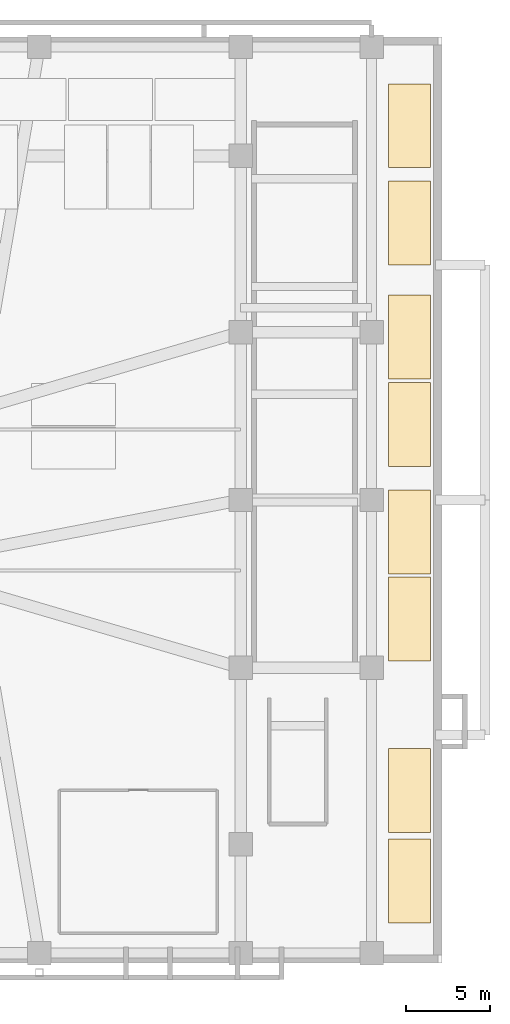
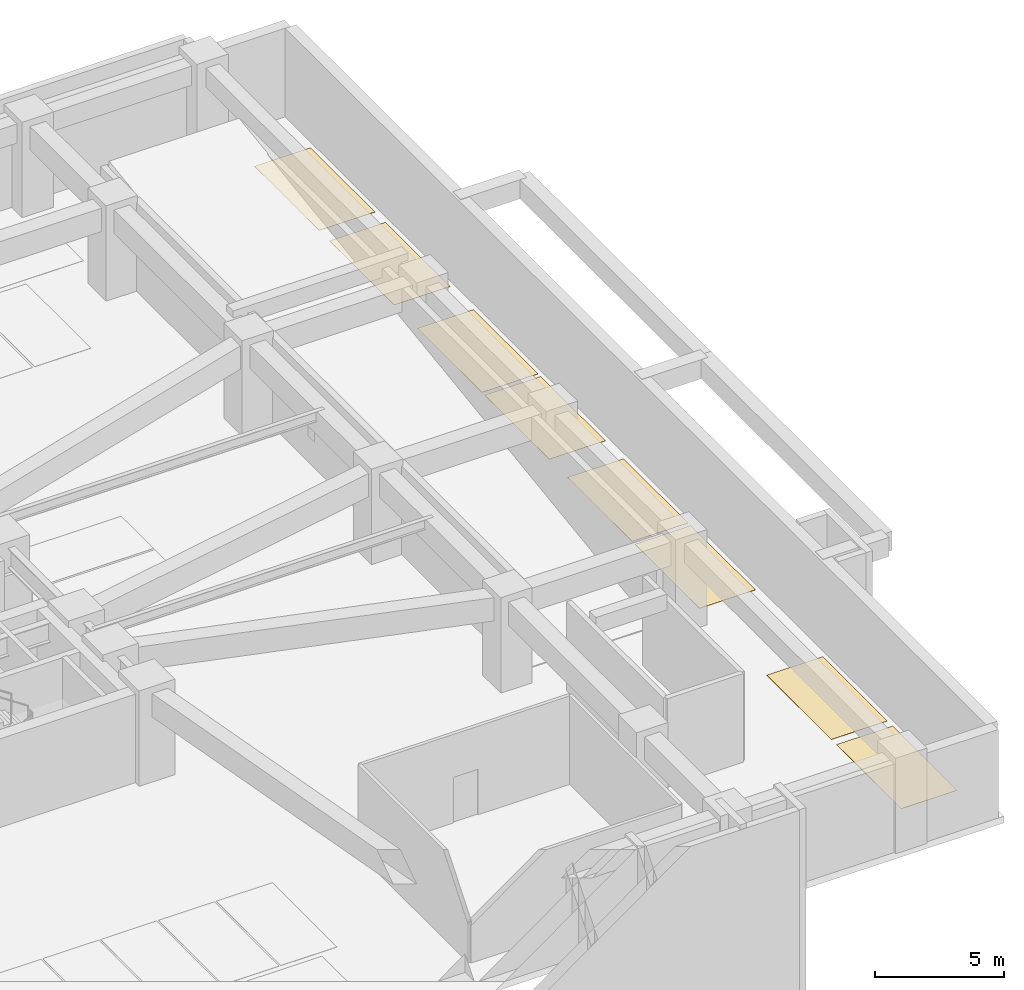
# One storey, part 13 of 13: 8 coverings.
"""IFC4 building model written with IfcOpenShell, lengths in metres."""

import ifcopenshell
import ifcopenshell.guid

model = None  # the IFC model being written
_history = None  # IfcOwnerHistory: only IFC2X3 demands one
_inside = {}  # id of a spatial element -> (the spatial element, [elements in it])
_under = {}  # id of a project, library or spatial element -> (it, [spatial elements below it])
_declared = {}  # id of a project -> (the project, [libraries it declares])
_typed = {}  # id of a type object -> (the type object, [elements of that type])
_made_of = {}  # id of a material, layer set ... -> (it, [elements and type objects made of it])


def new_model(schema):
    """Start an empty IFC model of exactly this schema.

    Asked for "IFC4X3", IfcOpenShell would pick the latest addendum, in which some entities
    have other attributes; the version numbers below select the first issue.
    IFC2X3 requires an IfcOwnerHistory on every rooted entity: one is made here for all.
    """
    global model, _history
    if schema == "IFC4X3":
        model = ifcopenshell.file(schema_version=(4, 3, 0, 0))
    else:
        model = ifcopenshell.file(schema=schema)
    _inside.clear()
    _under.clear()
    _declared.clear()
    _typed.clear()
    _made_of.clear()
    _history = None
    if model.schema == "IFC2X3":
        org = make("IfcOrganization", Name="unknown")
        user = make(
            "IfcPersonAndOrganization",
            ThePerson=make("IfcPerson", FamilyName="unknown"),
            TheOrganization=org,
        )
        app = make(
            "IfcApplication",
            ApplicationDeveloper=org,
            Version="unknown",
            ApplicationFullName="unknown",
            ApplicationIdentifier="unknown",
        )
        _history = make(
            "IfcOwnerHistory",
            OwningUser=user,
            OwningApplication=app,
            ChangeAction="ADDED",
            CreationDate=0,
        )
    return model


def make(cls, **values):
    """One entity of the class cls with the attributes given. An attribute that is None is left unset."""
    return model.create_entity(
        cls, **{name: value for name, value in values.items() if value is not None}
    )


def rooted(cls, **values):
    """An entity with a GlobalId (a new one), such as an element, a storey or a relation."""
    return make(cls, GlobalId=ifcopenshell.guid.new(), OwnerHistory=_history, **values)


def si_unit(unit_type, name, prefix=None):
    """IfcSIUnit, for example si_unit("LENGTHUNIT", "METRE", prefix="MILLI")."""
    return make("IfcSIUnit", UnitType=unit_type, Prefix=prefix, Name=name)


def assignment(units):
    """IfcUnitAssignment: the units of a project."""
    return None if units is None else make("IfcUnitAssignment", Units=units)


def point(xyz):
    """IfcCartesianPoint."""
    return None if xyz is None else make("IfcCartesianPoint", Coordinates=xyz)


def direction(xyz):
    """IfcDirection."""
    return None if xyz is None else make("IfcDirection", DirectionRatios=xyz)


def frame(location, z_axis=None, x_axis=None):
    """IfcAxis2Placement3D, a coordinate frame: its origin and axes. An axis left out is left unset."""
    return make(
        "IfcAxis2Placement3D",
        Location=point(location),
        Axis=direction(z_axis),
        RefDirection=direction(x_axis),
    )


def origin():
    """The frame at (0, 0, 0) with its axes left unset."""
    return frame((0.0, 0.0, 0.0))


def place(relative_to, where):
    """IfcLocalPlacement: puts the frame where relative to a parent placement (None: the world)."""
    return make(
        "IfcLocalPlacement", PlacementRelTo=relative_to, RelativePlacement=where
    )


def context(
    kind, dimensions, precision=None, world=None, true_north=None, identifier=None
):
    """IfcGeometricRepresentationContext, for example the 3D "Model" context."""
    return make(
        "IfcGeometricRepresentationContext",
        ContextIdentifier=identifier,
        ContextType=kind,
        CoordinateSpaceDimension=dimensions,
        Precision=precision,
        WorldCoordinateSystem=world,
        TrueNorth=true_north,
    )


def subcontext(parent, identifier, kind, view, scale=None):
    """IfcGeometricRepresentationSubContext, for example "Body" below "Model"."""
    return make(
        "IfcGeometricRepresentationSubContext",
        ContextIdentifier=identifier,
        ContextType=kind,
        ParentContext=parent,
        TargetScale=scale,
        TargetView=view,
    )


def project(units=None, contexts=None):
    """IfcProject with its units and contexts."""
    return rooted(
        "IfcProject",
        Name="project",
        RepresentationContexts=contexts,
        UnitsInContext=assignment(units),
    )


def spatial(cls, under=None, at=None, **own):
    """A site, building, storey or space (cls), placed at a placement, below another one or the project."""
    s = rooted(cls, ObjectPlacement=at, **own)
    if under is not None:
        _under.setdefault(under.id(), (under, []))[1].append(s)
    return s


def polyline(points):
    """IfcPolyline through the points."""
    return make("IfcPolyline", Points=[point(p) for p in points])


def outline(outer, holes=None, kind="AREA"):
    """IfcArbitraryClosedProfileDef: a profile drawn as a closed curve; with holes, ...WithVoids."""
    if holes is None:
        return make("IfcArbitraryClosedProfileDef", ProfileType=kind, OuterCurve=outer)
    return make(
        "IfcArbitraryProfileDefWithVoids",
        ProfileType=kind,
        OuterCurve=outer,
        InnerCurves=holes,
    )


def extrude(swept, where, along, depth):
    """IfcExtrudedAreaSolid: the profile swept, set in the frame where, extruded along a direction by depth."""
    return make(
        "IfcExtrudedAreaSolid",
        SweptArea=swept,
        Position=where,
        ExtrudedDirection=direction(along),
        Depth=depth,
    )


def shape(context_of_items, identifier, shape_type, items):
    """IfcShapeRepresentation: the items that make up one representation, for example the "Body"."""
    return make(
        "IfcShapeRepresentation",
        ContextOfItems=context_of_items,
        RepresentationIdentifier=identifier,
        RepresentationType=shape_type,
        Items=items,
    )


def material(Name=None, Category=None):
    """IfcMaterial."""
    return make("IfcMaterial", Name=Name, Category=Category)


def layer(
    of_material, thickness, ventilated=None, Name=None, Category=None, Priority=None
):
    """IfcMaterialLayer: one layer of a wall or slab, of a material (None: an air gap)."""
    return make(
        "IfcMaterialLayer",
        Material=of_material,
        LayerThickness=thickness,
        IsVentilated=ventilated,
        Name=Name,
        Category=Category,
        Priority=Priority,
    )


def layer_set(layers, Name=None):
    """IfcMaterialLayerSet."""
    return make("IfcMaterialLayerSet", MaterialLayers=layers, LayerSetName=Name)


def made_of(thing, what):
    """Note that an element or type object is made of a material, layer set ...; save() writes the relation."""
    if what is not None:
        _made_of.setdefault(what.id(), (what, []))[1].append(thing)
    return thing


def type_object(cls, material=None, **own):
    """A type object (cls), such as IfcWallType, which elements share."""
    return made_of(rooted(cls, **own), material)


def element(
    cls,
    number,
    at=None,
    inside=None,
    cuts=None,
    type_object=None,
    material=None,
    context=None,
    identifier="Body",
    shape_type=None,
    held_by="IfcProductDefinitionShape",
    body=None,
    shapes=None,
    **own,
):
    """One element of the class cls, such as IfcWall. Its Tag is "e" and its number.

    at: its placement. inside: the storey or other place that contains it. cuts: it is an
    opening in that element (IfcRelVoidsElement). A single representation is given by context,
    identifier, shape_type and body (its items); several are given by shapes. held_by: the class
    of the entity that holds the representations. save() writes the other relations.
    """
    e = rooted(cls, Tag="e%d" % number, ObjectPlacement=at, **own)
    if body is not None:
        shapes = [shape(context, identifier, shape_type, body)]
    if shapes is not None:
        e.Representation = make(held_by, Representations=shapes)
    if inside is not None:
        _inside.setdefault(inside.id(), (inside, []))[1].append(e)
    if cuts is not None:
        rooted(
            "IfcRelVoidsElement", RelatingBuildingElement=cuts, RelatedOpeningElement=e
        )
    if type_object is not None:
        _typed.setdefault(type_object.id(), (type_object, []))[1].append(e)
    return made_of(e, material)


def aggregate(whole, parts):
    """IfcRelAggregates: a whole, such as a stair, and the parts it consists of."""
    return rooted("IfcRelAggregates", RelatingObject=whole, RelatedObjects=parts)


def save(model, path):
    """Write the relations noted so far, then the file.

    IfcRelAggregates (storeys below a building ...), IfcRelContainedInSpatialStructure (elements
    in a storey), IfcRelDefinesByType, IfcRelAssociatesMaterial and IfcRelDeclares: one each for
    every whole, place, type object, material and project.
    """
    for whole, parts in _under.values():
        aggregate(whole, parts)
    for where, things in _inside.values():
        rooted(
            "IfcRelContainedInSpatialStructure",
            RelatedElements=things,
            RelatingStructure=where,
        )
    for kind, things in _typed.values():
        rooted("IfcRelDefinesByType", RelatedObjects=things, RelatingType=kind)
    for what, things in _made_of.values():
        rooted("IfcRelAssociatesMaterial", RelatedObjects=things, RelatingMaterial=what)
    for by, libraries in _declared.values():
        rooted("IfcRelDeclares", RelatingContext=by, RelatedDefinitions=libraries)
    model.write(path)


model = new_model("IFC4")

# Units and contexts
model_context = context("Model", 3, precision=1e-05, world=origin(), true_north=direction((0.0, 1.0)))
body_context = subcontext(model_context, "Body", "Model", "MODEL_VIEW")
ifc_project = project(units=[si_unit("LENGTHUNIT", "METRE"), si_unit("AREAUNIT", "SQUARE_METRE"), si_unit("VOLUMEUNIT", "CUBIC_METRE"), si_unit("PLANEANGLEUNIT", "RADIAN"), si_unit("MASSUNIT", "GRAM", prefix="KILO")], contexts=[model_context])

# Site, building, storey
site_placement = place(None, origin())
site = spatial("IfcSite", under=ifc_project, at=site_placement, CompositionType="ELEMENT")
building_placement = place(site_placement, origin())
building = spatial("IfcBuilding", under=site, at=building_placement, Name="Solmarez Civic Tower", CompositionType="ELEMENT")
storey_placement = place(building_placement, frame((0.0, 0.0, -4.5)))
storey = spatial("IfcBuildingStorey", under=building, at=storey_placement, Name="B1", CompositionType="ELEMENT", Elevation=-4.5)

# Coverings
ifc_material = material(Name="Epoxy Traffic Deck Coating")
ifc_layer = layer(ifc_material, 0.010009765625)
ifc_layer_set = layer_set([ifc_layer], Name="Epoxy Traffic Deck Coating")
covering_type = type_object("IfcCoveringType", Name="COV-PARK-BAY", PredefinedType="FLOORING", material=ifc_layer_set)
covering_1_placement = place(storey_placement, origin())
element("IfcCovering", 1, at=covering_1_placement, inside=storey, type_object=covering_type, Name="B1 Parking Bay Marking 081", PredefinedType="FLOORING", context=body_context, shape_type="SweptSolid", body=[
    extrude(outline(polyline([(32.800048828125, -25.199951171875), (35.300048828125, -25.199951171875), (35.300048828125, -20.199951171875), (32.800048828125, -20.199951171875), (32.800048828125, -25.199951171875)])), origin(), (0.0, 0.0, 1.0), 0.010009765625),
])
covering_2_placement = place(storey_placement, origin())
element("IfcCovering", 2, at=covering_2_placement, inside=storey, type_object=covering_type, Name="B1 Parking Bay Marking 082", PredefinedType="FLOORING", context=body_context, shape_type="SweptSolid", body=[
    extrude(outline(polyline([(32.800048828125, -19.800048828125), (35.300048828125, -19.800048828125), (35.300048828125, -14.800048828125), (32.800048828125, -14.800048828125), (32.800048828125, -19.800048828125)])), origin(), (0.0, 0.0, 1.0), 0.010009765625),
])
covering_3_placement = place(storey_placement, origin())
element("IfcCovering", 3, at=covering_3_placement, inside=storey, type_object=covering_type, Name="B1 Parking Bay Marking 083", PredefinedType="FLOORING", context=body_context, shape_type="SweptSolid", body=[
    extrude(outline(polyline([(32.800048828125, -9.60009765625), (35.300048828125, -9.60009765625), (35.300048828125, -4.60009765625), (32.800048828125, -4.60009765625), (32.800048828125, -9.60009765625)])), origin(), (0.0, 0.0, 1.0), 0.010009765625),
])
covering_4_placement = place(storey_placement, origin())
element("IfcCovering", 4, at=covering_4_placement, inside=storey, type_object=covering_type, Name="B1 Parking Bay Marking 084", PredefinedType="FLOORING", context=body_context, shape_type="SweptSolid", body=[
    extrude(outline(polyline([(32.800048828125, -4.39990234375), (35.300048828125, -4.39990234375), (35.300048828125, 0.60009765625), (32.800048828125, 0.60009765625), (32.800048828125, -4.39990234375)])), origin(), (0.0, 0.0, 1.0), 0.010009765625),
])
covering_5_placement = place(storey_placement, origin())
element("IfcCovering", 5, at=covering_5_placement, inside=storey, type_object=covering_type, Name="B1 Parking Bay Marking 085", PredefinedType="FLOORING", context=body_context, shape_type="SweptSolid", body=[
    extrude(outline(polyline([(32.800048828125, 2.0), (35.300048828125, 2.0), (35.300048828125, 7.0), (32.800048828125, 7.0), (32.800048828125, 2.0)])), origin(), (0.0, 0.0, 1.0), 0.010009765625),
])
covering_6_placement = place(storey_placement, origin())
element("IfcCovering", 6, at=covering_6_placement, inside=storey, type_object=covering_type, Name="B1 Parking Bay Marking 086", PredefinedType="FLOORING", context=body_context, shape_type="SweptSolid", body=[
    extrude(outline(polyline([(32.800048828125, 7.199951171875), (35.300048828125, 7.199951171875), (35.300048828125, 12.199951171875), (32.800048828125, 12.199951171875), (32.800048828125, 7.199951171875)])), origin(), (0.0, 0.0, 1.0), 0.010009765625),
])
covering_7_placement = place(storey_placement, origin())
element("IfcCovering", 7, at=covering_7_placement, inside=storey, type_object=covering_type, Name="B1 Parking Bay Marking 087", PredefinedType="FLOORING", context=body_context, shape_type="SweptSolid", body=[
    extrude(outline(polyline([(32.800048828125, 14.0), (35.300048828125, 14.0), (35.300048828125, 19.0), (32.800048828125, 19.0), (32.800048828125, 14.0)])), origin(), (0.0, 0.0, 1.0), 0.010009765625),
])
covering_8_placement = place(storey_placement, origin())
element("IfcCovering", 8, at=covering_8_placement, inside=storey, type_object=covering_type, Name="B1 Parking Bay Marking 088", PredefinedType="FLOORING", context=body_context, shape_type="SweptSolid", body=[
    extrude(outline(polyline([(32.800048828125, 19.800048828125), (35.300048828125, 19.800048828125), (35.300048828125, 24.800048828125), (32.800048828125, 24.800048828125), (32.800048828125, 19.800048828125)])), origin(), (0.0, 0.0, 1.0), 0.010009765625),
])

save(model, "model.ifc")
